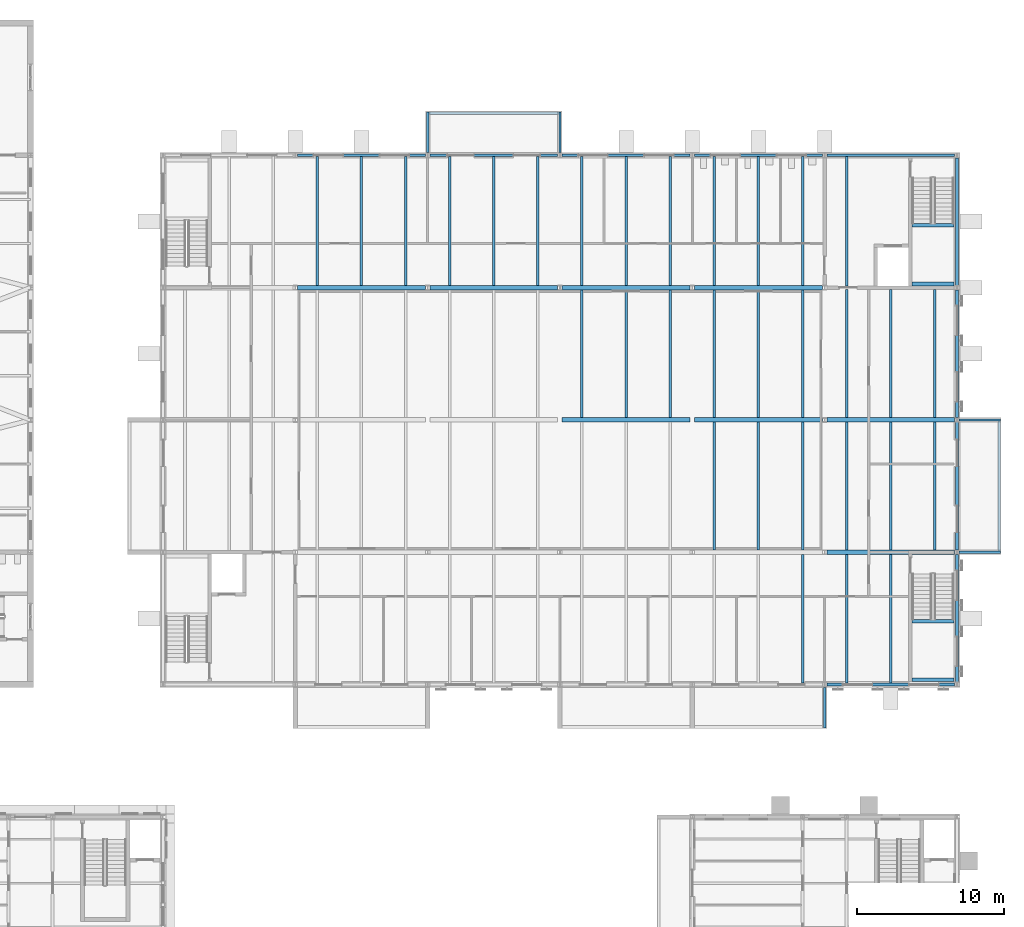
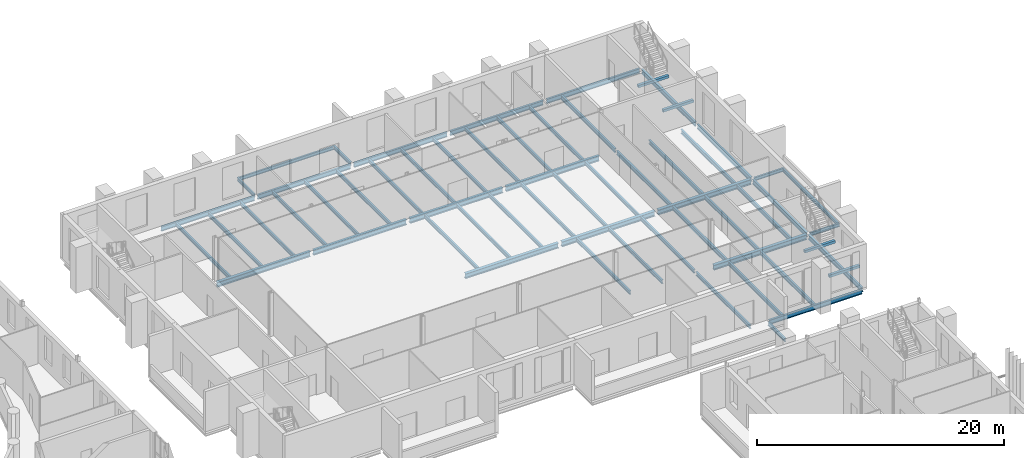
# One storey, part 53 of 134: 60 beams.
"""IFC4 building model written with IfcOpenShell, lengths in metres."""

import ifcopenshell
import ifcopenshell.guid

model = None  # the IFC model being written
_history = None  # IfcOwnerHistory: only IFC2X3 demands one
_inside = {}  # id of a spatial element -> (the spatial element, [elements in it])
_under = {}  # id of a project, library or spatial element -> (it, [spatial elements below it])
_declared = {}  # id of a project -> (the project, [libraries it declares])
_typed = {}  # id of a type object -> (the type object, [elements of that type])
_made_of = {}  # id of a material, layer set ... -> (it, [elements and type objects made of it])


def new_model(schema):
    """Start an empty IFC model of exactly this schema.

    Asked for "IFC4X3", IfcOpenShell would pick the latest addendum, in which some entities
    have other attributes; the version numbers below select the first issue.
    IFC2X3 requires an IfcOwnerHistory on every rooted entity: one is made here for all.
    """
    global model, _history
    if schema == "IFC4X3":
        model = ifcopenshell.file(schema_version=(4, 3, 0, 0))
    else:
        model = ifcopenshell.file(schema=schema)
    _inside.clear()
    _under.clear()
    _declared.clear()
    _typed.clear()
    _made_of.clear()
    _history = None
    if model.schema == "IFC2X3":
        org = make("IfcOrganization", Name="unknown")
        user = make(
            "IfcPersonAndOrganization",
            ThePerson=make("IfcPerson", FamilyName="unknown"),
            TheOrganization=org,
        )
        app = make(
            "IfcApplication",
            ApplicationDeveloper=org,
            Version="unknown",
            ApplicationFullName="unknown",
            ApplicationIdentifier="unknown",
        )
        _history = make(
            "IfcOwnerHistory",
            OwningUser=user,
            OwningApplication=app,
            ChangeAction="ADDED",
            CreationDate=0,
        )
    return model


def make(cls, **values):
    """One entity of the class cls with the attributes given. An attribute that is None is left unset."""
    return model.create_entity(
        cls, **{name: value for name, value in values.items() if value is not None}
    )


def rooted(cls, **values):
    """An entity with a GlobalId (a new one), such as an element, a storey or a relation."""
    return make(cls, GlobalId=ifcopenshell.guid.new(), OwnerHistory=_history, **values)


def si_unit(unit_type, name, prefix=None):
    """IfcSIUnit, for example si_unit("LENGTHUNIT", "METRE", prefix="MILLI")."""
    return make("IfcSIUnit", UnitType=unit_type, Prefix=prefix, Name=name)


def assignment(units):
    """IfcUnitAssignment: the units of a project."""
    return None if units is None else make("IfcUnitAssignment", Units=units)


def point(xyz):
    """IfcCartesianPoint."""
    return None if xyz is None else make("IfcCartesianPoint", Coordinates=xyz)


def direction(xyz):
    """IfcDirection."""
    return None if xyz is None else make("IfcDirection", DirectionRatios=xyz)


def frame(location, z_axis=None, x_axis=None):
    """IfcAxis2Placement3D, a coordinate frame: its origin and axes. An axis left out is left unset."""
    return make(
        "IfcAxis2Placement3D",
        Location=point(location),
        Axis=direction(z_axis),
        RefDirection=direction(x_axis),
    )


def frame_2d(location, x_axis=None):
    """IfcAxis2Placement2D, a coordinate frame in the plane: its origin and x axis."""
    return make(
        "IfcAxis2Placement2D", Location=point(location), RefDirection=direction(x_axis)
    )


def origin():
    """The frame at (0, 0, 0) with its axes left unset."""
    return frame((0.0, 0.0, 0.0))


def origin_2d():
    """The frame at (0, 0) in the plane with its x axis left unset."""
    return frame_2d((0.0, 0.0))


def place(relative_to, where):
    """IfcLocalPlacement: puts the frame where relative to a parent placement (None: the world)."""
    return make(
        "IfcLocalPlacement", PlacementRelTo=relative_to, RelativePlacement=where
    )


def context(
    kind, dimensions, precision=None, world=None, true_north=None, identifier=None
):
    """IfcGeometricRepresentationContext, for example the 3D "Model" context."""
    return make(
        "IfcGeometricRepresentationContext",
        ContextIdentifier=identifier,
        ContextType=kind,
        CoordinateSpaceDimension=dimensions,
        Precision=precision,
        WorldCoordinateSystem=world,
        TrueNorth=true_north,
    )


def subcontext(parent, identifier, kind, view, scale=None):
    """IfcGeometricRepresentationSubContext, for example "Body" below "Model"."""
    return make(
        "IfcGeometricRepresentationSubContext",
        ContextIdentifier=identifier,
        ContextType=kind,
        ParentContext=parent,
        TargetScale=scale,
        TargetView=view,
    )


def project(units=None, contexts=None):
    """IfcProject with its units and contexts."""
    return rooted(
        "IfcProject",
        Name="project",
        RepresentationContexts=contexts,
        UnitsInContext=assignment(units),
    )


def spatial(cls, under=None, at=None, **own):
    """A site, building, storey or space (cls), placed at a placement, below another one or the project."""
    s = rooted(cls, ObjectPlacement=at, **own)
    if under is not None:
        _under.setdefault(under.id(), (under, []))[1].append(s)
    return s


def profile(cls, at=None, kind="AREA", **sizes):
    """A parametric profile (cls). Its sizes go by their IFC names, for example OverallWidth=200.0."""
    return make(cls, ProfileType=kind, Position=at, **sizes)


def rectangle(**sizes):
    """IfcRectangleProfileDef."""
    return profile("IfcRectangleProfileDef", **sizes)


def i_section(**sizes):
    """IfcIShapeProfileDef."""
    return profile("IfcIShapeProfileDef", **sizes)


def extrude(swept, where, along, depth):
    """IfcExtrudedAreaSolid: the profile swept, set in the frame where, extruded along a direction by depth."""
    return make(
        "IfcExtrudedAreaSolid",
        SweptArea=swept,
        Position=where,
        ExtrudedDirection=direction(along),
        Depth=depth,
    )


def shape(context_of_items, identifier, shape_type, items):
    """IfcShapeRepresentation: the items that make up one representation, for example the "Body"."""
    return make(
        "IfcShapeRepresentation",
        ContextOfItems=context_of_items,
        RepresentationIdentifier=identifier,
        RepresentationType=shape_type,
        Items=items,
    )


def material(Name=None, Category=None):
    """IfcMaterial."""
    return make("IfcMaterial", Name=Name, Category=Category)


def material_profile(
    of_material, cross_section, Name=None, Category=None, Priority=None
):
    """IfcMaterialProfile: a cross section and its material."""
    return make(
        "IfcMaterialProfile",
        Name=Name,
        Material=of_material,
        Profile=cross_section,
        Priority=Priority,
        Category=Category,
    )


def profile_set(profiles, Name=None, composite=None):
    """IfcMaterialProfileSet."""
    return make(
        "IfcMaterialProfileSet",
        Name=Name,
        MaterialProfiles=profiles,
        CompositeProfile=composite,
    )


def made_of(thing, what):
    """Note that an element or type object is made of a material, layer set ...; save() writes the relation."""
    if what is not None:
        _made_of.setdefault(what.id(), (what, []))[1].append(thing)
    return thing


def type_object(cls, material=None, **own):
    """A type object (cls), such as IfcWallType, which elements share."""
    return made_of(rooted(cls, **own), material)


def element(
    cls,
    number,
    at=None,
    inside=None,
    cuts=None,
    type_object=None,
    material=None,
    context=None,
    identifier="Body",
    shape_type=None,
    held_by="IfcProductDefinitionShape",
    body=None,
    shapes=None,
    **own,
):
    """One element of the class cls, such as IfcWall. Its Tag is "e" and its number.

    at: its placement. inside: the storey or other place that contains it. cuts: it is an
    opening in that element (IfcRelVoidsElement). A single representation is given by context,
    identifier, shape_type and body (its items); several are given by shapes. held_by: the class
    of the entity that holds the representations. save() writes the other relations.
    """
    e = rooted(cls, Tag="e%d" % number, ObjectPlacement=at, **own)
    if body is not None:
        shapes = [shape(context, identifier, shape_type, body)]
    if shapes is not None:
        e.Representation = make(held_by, Representations=shapes)
    if inside is not None:
        _inside.setdefault(inside.id(), (inside, []))[1].append(e)
    if cuts is not None:
        rooted(
            "IfcRelVoidsElement", RelatingBuildingElement=cuts, RelatedOpeningElement=e
        )
    if type_object is not None:
        _typed.setdefault(type_object.id(), (type_object, []))[1].append(e)
    return made_of(e, material)


def aggregate(whole, parts):
    """IfcRelAggregates: a whole, such as a stair, and the parts it consists of."""
    return rooted("IfcRelAggregates", RelatingObject=whole, RelatedObjects=parts)


def save(model, path):
    """Write the relations noted so far, then the file.

    IfcRelAggregates (storeys below a building ...), IfcRelContainedInSpatialStructure (elements
    in a storey), IfcRelDefinesByType, IfcRelAssociatesMaterial and IfcRelDeclares: one each for
    every whole, place, type object, material and project.
    """
    for whole, parts in _under.values():
        aggregate(whole, parts)
    for where, things in _inside.values():
        rooted(
            "IfcRelContainedInSpatialStructure",
            RelatedElements=things,
            RelatingStructure=where,
        )
    for kind, things in _typed.values():
        rooted("IfcRelDefinesByType", RelatedObjects=things, RelatingType=kind)
    for what, things in _made_of.values():
        rooted("IfcRelAssociatesMaterial", RelatedObjects=things, RelatingMaterial=what)
    for by, libraries in _declared.values():
        rooted("IfcRelDeclares", RelatingContext=by, RelatedDefinitions=libraries)
    model.write(path)


model = new_model("IFC4")

# Units and contexts
model_context = context("Model", 3, precision=1e-05, world=origin(), true_north=direction((0.0, 1.0)))
body_context = subcontext(model_context, "Body", "Model", "MODEL_VIEW")
ifc_project = project(units=[si_unit("LENGTHUNIT", "METRE"), si_unit("AREAUNIT", "SQUARE_METRE"), si_unit("VOLUMEUNIT", "CUBIC_METRE"), si_unit("PLANEANGLEUNIT", "RADIAN"), si_unit("MASSUNIT", "GRAM", prefix="KILO")], contexts=[model_context])

# Site, building, storey
site_placement = place(None, origin())
site = spatial("IfcSite", under=ifc_project, at=site_placement, CompositionType="ELEMENT")
building_placement = place(site_placement, origin())
building = spatial("IfcBuilding", under=site, at=building_placement, Name="Golden Quay Civic Hall", CompositionType="ELEMENT")
storey_placement = place(building_placement, frame((0.0, 0.0, 5.39990234375)))
storey = spatial("IfcBuildingStorey", under=building, at=storey_placement, Name="L01", CompositionType="ELEMENT", Elevation=5.39990234375)

# Beams
ifc_material_1 = material(Name="Steel S355", Category="steel")
ifc_material_profile_1 = material_profile(ifc_material_1, i_section(OverallWidth=0.159912109375, OverallDepth=0.330078125, WebThickness=0.007568359375, FlangeThickness=0.011474609375, FilletRadius=0.01806640625, at=origin_2d()), Name="IPE 330")
ifc_profile_set_1 = profile_set([ifc_material_profile_1], Name="Steel S355")
beam_type_1 = type_object("IfcBeamType", Name="Loggia head beam IPE 330", PredefinedType="BEAM", material=ifc_profile_set_1)
for number, where, z_axis, x_axis, name in (
    (1, (173.8701171875, 72.080078125, -0.364990234375), (0.0, 1.0, 0.0), (-1.0, 0.0, 0.0), "Loggia head beam IPE 330 L01 14"),
    (2, (135.080078125, 101.8701171875, -0.364990234375), (1.0, 0.0, 0.0), (0.0, 1.0, 0.0), "Loggia head beam IPE 330 L01 15"),
):
    element("IfcBeam", number, at=place(storey_placement, frame(where, z_axis=z_axis, x_axis=x_axis)), inside=storey, type_object=beam_type_1, Name=name, PredefinedType="BEAM", context=body_context, shape_type="SweptSolid", body=[
        extrude(i_section(OverallWidth=0.159912109375, OverallDepth=0.330078125, WebThickness=0.007568359375, FlangeThickness=0.011474609375, FilletRadius=0.01806640625, at=origin_2d()), origin(), (0.0, 0.0, 1.0), 8.83984375),
    ])
ifc_material_2 = material(Name="Steel S355", Category="steel")
ifc_material_profile_2 = material_profile(ifc_material_2, i_section(OverallWidth=0.159912109375, OverallDepth=0.330078125, WebThickness=0.007568359375, FlangeThickness=0.011474609375, FilletRadius=0.01806640625, at=origin_2d()), Name="IPE 330")
ifc_profile_set_2 = profile_set([ifc_material_profile_2], Name="Steel S355")
beam_type_2 = type_object("IfcBeamType", Name="Loggia stub IPE 330", PredefinedType="BEAM", material=ifc_profile_set_2)
beam_1_placement = place(storey_placement, frame((162.0, 62.820068359375, -0.364990234375), z_axis=(0.0, -1.0, 0.0), x_axis=(1.0, 0.0, 0.0)))
element("IfcBeam", 3, at=beam_1_placement, inside=storey, type_object=beam_type_2, Name="Loggia stub IPE 330 L01 20", PredefinedType="BEAM", context=body_context, shape_type="SweptSolid", body=[
    extrude(i_section(OverallWidth=0.159912109375, OverallDepth=0.330078125, WebThickness=0.007568359375, FlangeThickness=0.011474609375, FilletRadius=0.01806640625, at=origin_2d()), origin(), (0.0, 0.0, 1.0), 2.77001953125),
])
for number, where, z_axis, x_axis, name in (
    (4, (171.14990234375, 72.0, -0.364990234375), (1.0, 0.0, 0.0), (0.0, 1.0, 0.0), "Loggia stub IPE 330 L01 21"),
    (5, (171.14990234375, 81.0, -0.364990234375), (1.0, 0.0, 0.0), (0.0, 1.0, 0.0), "Loggia stub IPE 330 L01 22"),
):
    element("IfcBeam", number, at=place(storey_placement, frame(where, z_axis=z_axis, x_axis=x_axis)), inside=storey, type_object=beam_type_2, Name=name, PredefinedType="BEAM", context=body_context, shape_type="SweptSolid", body=[
        extrude(i_section(OverallWidth=0.159912109375, OverallDepth=0.330078125, WebThickness=0.007568359375, FlangeThickness=0.011474609375, FilletRadius=0.01806640625, at=origin_2d()), origin(), (0.0, 0.0, 1.0), 2.800048828125),
    ])
for number, where, z_axis, x_axis, name in (
    (6, (135.0, 99.179931640625, -0.364990234375), (0.0, 1.0, 0.0), (-1.0, 0.0, 0.0), "Loggia stub IPE 330 L01 23"),
    (7, (144.0, 99.179931640625, -0.364990234375), (0.0, 1.0, 0.0), (-1.0, 0.0, 0.0), "Loggia stub IPE 330 L01 24"),
):
    element("IfcBeam", number, at=place(storey_placement, frame(where, z_axis=z_axis, x_axis=x_axis)), inside=storey, type_object=beam_type_2, Name=name, PredefinedType="BEAM", context=body_context, shape_type="SweptSolid", body=[
        extrude(i_section(OverallWidth=0.159912109375, OverallDepth=0.330078125, WebThickness=0.007568359375, FlangeThickness=0.011474609375, FilletRadius=0.01806640625, at=origin_2d()), origin(), (0.0, 0.0, 1.0), 2.77001953125),
    ])
ifc_material_3 = material(Name="Concrete C35/45", Category="concrete")
ifc_material_profile_3 = material_profile(ifc_material_3, rectangle(XDim=0.25, YDim=0.25, at=origin_2d()), Name="RC 250x250")
ifc_profile_set_3 = profile_set([ifc_material_profile_3], Name="Concrete C35/45")
beam_type_3 = type_object("IfcBeamType", Name="Reinforced concrete landing beam 250x250", PredefinedType="BEAM", material=ifc_profile_set_3)
for number, where, z_axis, x_axis, name in (
    (8, (167.949951171875, 94.2451171875, 1.925048828125), (1.0, 0.0, 0.0), (0.0, 1.0, 0.0), "L01 LB-STE L01 far landing trimmer beam 1"),
    (9, (167.949951171875, 90.25, 1.925048828125), (1.0, 0.0, 0.0), (0.0, 1.0, 0.0), "L01 LB-STE L01 far landing trimmer beam 2"),
    (10, (167.949951171875, 67.320068359375, 1.925048828125), (1.0, 0.0, 0.0), (0.0, 1.0, 0.0), "L01 LB-STS L01 far landing trimmer beam 1"),
    (11, (167.949951171875, 63.324951171875, 1.925048828125), (1.0, 0.0, 0.0), (0.0, 1.0, 0.0), "L01 LB-STS L01 far landing trimmer beam 2"),
):
    element("IfcBeam", number, at=place(storey_placement, frame(where, z_axis=z_axis, x_axis=x_axis)), inside=storey, type_object=beam_type_3, Name=name, PredefinedType="BEAM", context=body_context, shape_type="SweptSolid", body=[
        extrude(rectangle(XDim=0.25, YDim=0.25, at=origin_2d()), origin(), (0.0, 0.0, 1.0), 2.85009765625),
    ])
ifc_material_4 = material(Name="Steel S355", Category="steel")
ifc_material_profile_4 = material_profile(ifc_material_4, i_section(OverallWidth=0.18994140625, OverallDepth=0.449951171875, WebThickness=0.009521484375, FlangeThickness=0.0146484375, FilletRadius=0.02099609375, at=origin_2d()), Name="IPE 450")
ifc_profile_set_4 = profile_set([ifc_material_profile_4], Name="Steel S355")
beam_type_4 = type_object("IfcBeamType", Name="Steel edge beam IPE 450", PredefinedType="BEAM", material=ifc_profile_set_4)
for number, where, z_axis, x_axis, name in (
    (12, (162.14990234375, 63.0, -0.4248046875), (1.0, 0.0, 0.0), (0.0, 1.0, 0.0), "L01 edge beam 0-6"),
    (13, (126.14990234375, 99.0, -0.4248046875), (1.0, 0.0, 0.0), (0.0, 1.0, 0.0), "L01 edge beam 36-2"),
    (14, (135.14990234375, 99.0, -0.4248046875), (1.0, 0.0, 0.0), (0.0, 1.0, 0.0), "L01 edge beam 36-3"),
    (15, (144.14990234375, 99.0, -0.4248046875), (1.0, 0.0, 0.0), (0.0, 1.0, 0.0), "L01 edge beam 36-4"),
    (16, (153.14990234375, 99.0, -0.4248046875), (1.0, 0.0, 0.0), (0.0, 1.0, 0.0), "L01 edge beam 36-5"),
    (17, (162.14990234375, 99.0, -0.4248046875), (1.0, 0.0, 0.0), (0.0, 1.0, 0.0), "L01 edge beam 36-6"),
):
    element("IfcBeam", number, at=place(storey_placement, frame(where, z_axis=z_axis, x_axis=x_axis)), inside=storey, type_object=beam_type_4, Name=name, PredefinedType="BEAM", context=body_context, shape_type="SweptSolid", body=[
        extrude(i_section(OverallWidth=0.18994140625, OverallDepth=0.449951171875, WebThickness=0.009521484375, FlangeThickness=0.0146484375, FilletRadius=0.02099609375, at=origin_2d()), origin(), (0.0, 0.0, 1.0), 8.7001953125),
    ])
beam_2_placement = place(storey_placement, frame((171.0, 63.179931640625, -0.4248046875), z_axis=(0.0, 1.0, 0.0), x_axis=(-1.0, 0.0, 0.0)))
element("IfcBeam", 18, at=beam_2_placement, inside=storey, type_object=beam_type_4, Name="L01 edge beam u54-1", PredefinedType="BEAM", context=body_context, shape_type="SweptSolid", body=[
    extrude(i_section(OverallWidth=0.18994140625, OverallDepth=0.449951171875, WebThickness=0.009521484375, FlangeThickness=0.0146484375, FilletRadius=0.02099609375, at=origin_2d()), origin(), (0.0, 0.0, 1.0), 8.670166015625),
])
for number, where, z_axis, x_axis, name in (
    (19, (171.0, 72.14990234375, -0.4248046875), (0.0, 1.0, 0.0), (-1.0, 0.0, 0.0), "L01 edge beam u54-2"),
    (20, (171.0, 81.14990234375, -0.4248046875), (0.0, 1.0, 0.0), (-1.0, 0.0, 0.0), "L01 edge beam u54-3"),
):
    element("IfcBeam", number, at=place(storey_placement, frame(where, z_axis=z_axis, x_axis=x_axis)), inside=storey, type_object=beam_type_4, Name=name, PredefinedType="BEAM", context=body_context, shape_type="SweptSolid", body=[
        extrude(i_section(OverallWidth=0.18994140625, OverallDepth=0.449951171875, WebThickness=0.009521484375, FlangeThickness=0.0146484375, FilletRadius=0.02099609375, at=origin_2d()), origin(), (0.0, 0.0, 1.0), 8.7001953125),
    ])
beam_3_placement = place(storey_placement, frame((171.0, 90.14990234375, -0.4248046875), z_axis=(0.0, 1.0, 0.0), x_axis=(-1.0, 0.0, 0.0)))
element("IfcBeam", 21, at=beam_3_placement, inside=storey, type_object=beam_type_4, Name="L01 edge beam u54-4", PredefinedType="BEAM", context=body_context, shape_type="SweptSolid", body=[
    extrude(i_section(OverallWidth=0.18994140625, OverallDepth=0.449951171875, WebThickness=0.009521484375, FlangeThickness=0.0146484375, FilletRadius=0.02099609375, at=origin_2d()), origin(), (0.0, 0.0, 1.0), 8.670166015625),
])
ifc_material_5 = material(Name="Steel S355", Category="steel")
ifc_material_profile_5 = material_profile(ifc_material_5, i_section(OverallWidth=0.300048828125, OverallDepth=0.489990234375, WebThickness=0.011962890625, FlangeThickness=0.02294921875, FilletRadius=0.027099609375, at=origin_2d()), Name="HEA 500")
ifc_profile_set_5 = profile_set([ifc_material_profile_5], Name="Steel S355")
beam_type_5 = type_object("IfcBeamType", Name="Steel girder HEA 500", PredefinedType="BEAM", material=ifc_profile_set_5)
for number, where, z_axis, x_axis, name in (
    (22, (144.14990234375, 81.0, -0.44482421875), (1.0, 0.0, 0.0), (0.0, 1.0, 0.0), "L01 girder 18-4"),
    (23, (153.14990234375, 81.0, -0.44482421875), (1.0, 0.0, 0.0), (0.0, 1.0, 0.0), "L01 girder 18-5"),
    (24, (126.14990234375, 90.0, -0.44482421875), (1.0, 0.0, 0.0), (0.0, 1.0, 0.0), "L01 girder 27-2"),
    (25, (135.14990234375, 90.0, -0.44482421875), (1.0, 0.0, 0.0), (0.0, 1.0, 0.0), "L01 girder 27-3"),
    (26, (144.14990234375, 90.0, -0.44482421875), (1.0, 0.0, 0.0), (0.0, 1.0, 0.0), "L01 girder 27-4"),
    (27, (153.14990234375, 90.0, -0.44482421875), (1.0, 0.0, 0.0), (0.0, 1.0, 0.0), "L01 girder 27-5"),
):
    element("IfcBeam", number, at=place(storey_placement, frame(where, z_axis=z_axis, x_axis=x_axis)), inside=storey, type_object=beam_type_5, Name=name, PredefinedType="BEAM", context=body_context, shape_type="SweptSolid", body=[
        extrude(i_section(OverallWidth=0.300048828125, OverallDepth=0.489990234375, WebThickness=0.011962890625, FlangeThickness=0.02294921875, FilletRadius=0.027099609375, at=origin_2d()), origin(), (0.0, 0.0, 1.0), 8.7001953125),
    ])
ifc_material_6 = material(Name="Steel S355", Category="steel")
ifc_material_profile_6 = material_profile(ifc_material_6, i_section(OverallWidth=0.300048828125, OverallDepth=0.5, WebThickness=0.014404296875, FlangeThickness=0.028076171875, FilletRadius=0.027099609375, at=origin_2d()), Name="HEB 500")
ifc_profile_set_6 = profile_set([ifc_material_profile_6], Name="Steel S355")
beam_type_6 = type_object("IfcBeamType", Name="Steel girder HEB 500", PredefinedType="BEAM", material=ifc_profile_set_6)
for number, where, z_axis, x_axis, name in (
    (28, (162.14990234375, 72.0, -0.449951171875), (1.0, 0.0, 0.0), (0.0, 1.0, 0.0), "L01 girder 9-6"),
    (29, (162.14990234375, 81.0, -0.449951171875), (1.0, 0.0, 0.0), (0.0, 1.0, 0.0), "L01 girder 18-6"),
):
    element("IfcBeam", number, at=place(storey_placement, frame(where, z_axis=z_axis, x_axis=x_axis)), inside=storey, type_object=beam_type_6, Name=name, PredefinedType="BEAM", context=body_context, shape_type="SweptSolid", body=[
        extrude(i_section(OverallWidth=0.300048828125, OverallDepth=0.5, WebThickness=0.014404296875, FlangeThickness=0.028076171875, FilletRadius=0.027099609375, at=origin_2d()), origin(), (0.0, 0.0, 1.0), 8.7001953125),
    ])
ifc_material_7 = material(Name="Steel S355", Category="steel")
ifc_material_profile_7 = material_profile(ifc_material_7, i_section(OverallWidth=0.169921875, OverallDepth=0.360107421875, WebThickness=0.008056640625, FlangeThickness=0.0126953125, FilletRadius=0.01806640625, at=origin_2d()), Name="IPE 360")
ifc_profile_set_7 = profile_set([ifc_material_profile_7], Name="Steel S355")
beam_type_7 = type_object("IfcBeamType", Name="Steel joist IPE 360", PredefinedType="JOIST", material=ifc_profile_set_7)
for number, where, z_axis, x_axis, name in (
    (30, (127.5, 90.14990234375, -0.3798828125), (0.0, 1.0, 0.0), (-1.0, 0.0, 0.0), "L01 joist 2.4.1"),
    (31, (130.5, 90.14990234375, -0.3798828125), (0.0, 1.0, 0.0), (-1.0, 0.0, 0.0), "L01 joist 2.4.2"),
    (32, (133.5, 90.14990234375, -0.3798828125), (0.0, 1.0, 0.0), (-1.0, 0.0, 0.0), "L01 joist 2.4.3"),
    (33, (136.5, 90.14990234375, -0.3798828125), (0.0, 1.0, 0.0), (-1.0, 0.0, 0.0), "L01 joist 3.4.1"),
    (34, (139.5, 90.14990234375, -0.3798828125), (0.0, 1.0, 0.0), (-1.0, 0.0, 0.0), "L01 joist 3.4.2"),
    (35, (142.5, 90.14990234375, -0.3798828125), (0.0, 1.0, 0.0), (-1.0, 0.0, 0.0), "L01 joist 3.4.3"),
):
    element("IfcBeam", number, at=place(storey_placement, frame(where, z_axis=z_axis, x_axis=x_axis)), inside=storey, type_object=beam_type_7, Name=name, PredefinedType="JOIST", context=body_context, shape_type="SweptSolid", body=[
        extrude(i_section(OverallWidth=0.169921875, OverallDepth=0.360107421875, WebThickness=0.008056640625, FlangeThickness=0.0126953125, FilletRadius=0.01806640625, at=origin_2d()), origin(), (0.0, 0.0, 1.0), 8.755126953125),
    ])
for number, where, z_axis, x_axis, name in (
    (36, (145.5, 81.14990234375, -0.3798828125), (0.0, 1.0, 0.0), (-1.0, 0.0, 0.0), "L01 joist 4.3.1"),
    (37, (148.5, 81.14990234375, -0.3798828125), (0.0, 1.0, 0.0), (-1.0, 0.0, 0.0), "L01 joist 4.3.2"),
    (38, (151.5, 81.14990234375, -0.3798828125), (0.0, 1.0, 0.0), (-1.0, 0.0, 0.0), "L01 joist 4.3.3"),
):
    element("IfcBeam", number, at=place(storey_placement, frame(where, z_axis=z_axis, x_axis=x_axis)), inside=storey, type_object=beam_type_7, Name=name, PredefinedType="JOIST", context=body_context, shape_type="SweptSolid", body=[
        extrude(i_section(OverallWidth=0.169921875, OverallDepth=0.360107421875, WebThickness=0.008056640625, FlangeThickness=0.0126953125, FilletRadius=0.01806640625, at=origin_2d()), origin(), (0.0, 0.0, 1.0), 8.7001953125),
    ])
for number, where, z_axis, x_axis, name in (
    (39, (145.5, 90.14990234375, -0.3798828125), (0.0, 1.0, 0.0), (-1.0, 0.0, 0.0), "L01 joist 4.4.1"),
    (40, (148.5, 90.14990234375, -0.3798828125), (0.0, 1.0, 0.0), (-1.0, 0.0, 0.0), "L01 joist 4.4.2"),
    (41, (151.5, 90.14990234375, -0.3798828125), (0.0, 1.0, 0.0), (-1.0, 0.0, 0.0), "L01 joist 4.4.3"),
    (42, (160.5, 63.094970703125, -0.3798828125), (0.0, 1.0, 0.0), (-1.0, 0.0, 0.0), "L01 joist 5.1.3"),
):
    element("IfcBeam", number, at=place(storey_placement, frame(where, z_axis=z_axis, x_axis=x_axis)), inside=storey, type_object=beam_type_7, Name=name, PredefinedType="JOIST", context=body_context, shape_type="SweptSolid", body=[
        extrude(i_section(OverallWidth=0.169921875, OverallDepth=0.360107421875, WebThickness=0.008056640625, FlangeThickness=0.0126953125, FilletRadius=0.01806640625, at=origin_2d()), origin(), (0.0, 0.0, 1.0), 8.755126953125),
    ])
for number, where, z_axis, x_axis, name in (
    (43, (154.5, 72.14990234375, -0.3798828125), (0.0, 1.0, 0.0), (-1.0, 0.0, 0.0), "L01 joist 5.2.1"),
    (44, (157.5, 72.14990234375, -0.3798828125), (0.0, 1.0, 0.0), (-1.0, 0.0, 0.0), "L01 joist 5.2.2"),
    (45, (160.5, 72.14990234375, -0.3798828125), (0.0, 1.0, 0.0), (-1.0, 0.0, 0.0), "L01 joist 5.2.3"),
    (46, (154.5, 81.14990234375, -0.3798828125), (0.0, 1.0, 0.0), (-1.0, 0.0, 0.0), "L01 joist 5.3.1"),
    (47, (157.5, 81.14990234375, -0.3798828125), (0.0, 1.0, 0.0), (-1.0, 0.0, 0.0), "L01 joist 5.3.2"),
    (48, (160.5, 81.14990234375, -0.3798828125), (0.0, 1.0, 0.0), (-1.0, 0.0, 0.0), "L01 joist 5.3.3"),
):
    element("IfcBeam", number, at=place(storey_placement, frame(where, z_axis=z_axis, x_axis=x_axis)), inside=storey, type_object=beam_type_7, Name=name, PredefinedType="JOIST", context=body_context, shape_type="SweptSolid", body=[
        extrude(i_section(OverallWidth=0.169921875, OverallDepth=0.360107421875, WebThickness=0.008056640625, FlangeThickness=0.0126953125, FilletRadius=0.01806640625, at=origin_2d()), origin(), (0.0, 0.0, 1.0), 8.7001953125),
    ])
for number, where, z_axis, x_axis, name in (
    (49, (154.5, 90.14990234375, -0.3798828125), (0.0, 1.0, 0.0), (-1.0, 0.0, 0.0), "L01 joist 5.4.1"),
    (50, (157.5, 90.14990234375, -0.3798828125), (0.0, 1.0, 0.0), (-1.0, 0.0, 0.0), "L01 joist 5.4.2"),
    (51, (160.5, 90.14990234375, -0.3798828125), (0.0, 1.0, 0.0), (-1.0, 0.0, 0.0), "L01 joist 5.4.3"),
):
    element("IfcBeam", number, at=place(storey_placement, frame(where, z_axis=z_axis, x_axis=x_axis)), inside=storey, type_object=beam_type_7, Name=name, PredefinedType="JOIST", context=body_context, shape_type="SweptSolid", body=[
        extrude(i_section(OverallWidth=0.169921875, OverallDepth=0.360107421875, WebThickness=0.008056640625, FlangeThickness=0.0126953125, FilletRadius=0.01806640625, at=origin_2d()), origin(), (0.0, 0.0, 1.0), 8.755126953125),
    ])
ifc_material_8 = material(Name="Steel S355", Category="steel")
ifc_material_profile_8 = material_profile(ifc_material_8, i_section(OverallWidth=0.179931640625, OverallDepth=0.39990234375, WebThickness=0.008544921875, FlangeThickness=0.013427734375, FilletRadius=0.02099609375, at=origin_2d()), Name="IPE 400")
ifc_profile_set_8 = profile_set([ifc_material_profile_8], Name="Steel S355")
beam_type_8 = type_object("IfcBeamType", Name="Steel joist IPE 400", PredefinedType="JOIST", material=ifc_profile_set_8)
for number, where, z_axis, x_axis, name in (
    (52, (163.5, 63.094970703125, -0.39990234375), (0.0, 1.0, 0.0), (-1.0, 0.0, 0.0), "L01 joist 6.1.1"),
    (53, (166.5, 63.094970703125, -0.39990234375), (0.0, 1.0, 0.0), (-1.0, 0.0, 0.0), "L01 joist 6.1.2"),
):
    element("IfcBeam", number, at=place(storey_placement, frame(where, z_axis=z_axis, x_axis=x_axis)), inside=storey, type_object=beam_type_8, Name=name, PredefinedType="JOIST", context=body_context, shape_type="SweptSolid", body=[
        extrude(i_section(OverallWidth=0.179931640625, OverallDepth=0.39990234375, WebThickness=0.008544921875, FlangeThickness=0.013427734375, FilletRadius=0.02099609375, at=origin_2d()), origin(), (0.0, 0.0, 1.0), 8.755126953125),
    ])
for number, where, z_axis, x_axis, name in (
    (54, (163.5, 72.14990234375, -0.39990234375), (0.0, 1.0, 0.0), (-1.0, 0.0, 0.0), "L01 joist 6.2.1"),
    (55, (166.5, 72.14990234375, -0.39990234375), (0.0, 1.0, 0.0), (-1.0, 0.0, 0.0), "L01 joist 6.2.2"),
    (56, (169.5, 72.14990234375, -0.39990234375), (0.0, 1.0, 0.0), (-1.0, 0.0, 0.0), "L01 joist 6.2.3"),
):
    element("IfcBeam", number, at=place(storey_placement, frame(where, z_axis=z_axis, x_axis=x_axis)), inside=storey, type_object=beam_type_8, Name=name, PredefinedType="JOIST", context=body_context, shape_type="SweptSolid", body=[
        extrude(i_section(OverallWidth=0.179931640625, OverallDepth=0.39990234375, WebThickness=0.008544921875, FlangeThickness=0.013427734375, FilletRadius=0.02099609375, at=origin_2d()), origin(), (0.0, 0.0, 1.0), 8.7001953125),
    ])
for number, where, z_axis, x_axis, name in (
    (57, (163.5, 81.14990234375, -0.39990234375), (0.0, 1.0, 0.0), (-1.0, 0.0, 0.0), "L01 joist 6.3.1"),
    (58, (166.5, 81.14990234375, -0.39990234375), (0.0, 1.0, 0.0), (-1.0, 0.0, 0.0), "L01 joist 6.3.2"),
    (59, (169.5, 81.14990234375, -0.39990234375), (0.0, 1.0, 0.0), (-1.0, 0.0, 0.0), "L01 joist 6.3.3"),
):
    element("IfcBeam", number, at=place(storey_placement, frame(where, z_axis=z_axis, x_axis=x_axis)), inside=storey, type_object=beam_type_8, Name=name, PredefinedType="JOIST", context=body_context, shape_type="SweptSolid", body=[
        extrude(i_section(OverallWidth=0.179931640625, OverallDepth=0.39990234375, WebThickness=0.008544921875, FlangeThickness=0.013427734375, FilletRadius=0.02099609375, at=origin_2d()), origin(), (0.0, 0.0, 1.0), 8.72509765625),
    ])
beam_4_placement = place(storey_placement, frame((163.5, 90.125, -0.39990234375), z_axis=(0.0, 1.0, 0.0), x_axis=(-1.0, 0.0, 0.0)))
element("IfcBeam", 60, at=beam_4_placement, inside=storey, type_object=beam_type_8, Name="L01 joist 6.4.1", PredefinedType="JOIST", context=body_context, shape_type="SweptSolid", body=[
    extrude(i_section(OverallWidth=0.179931640625, OverallDepth=0.39990234375, WebThickness=0.008544921875, FlangeThickness=0.013427734375, FilletRadius=0.02099609375, at=origin_2d()), origin(), (0.0, 0.0, 1.0), 8.780029296875),
])

save(model, "model.ifc")
